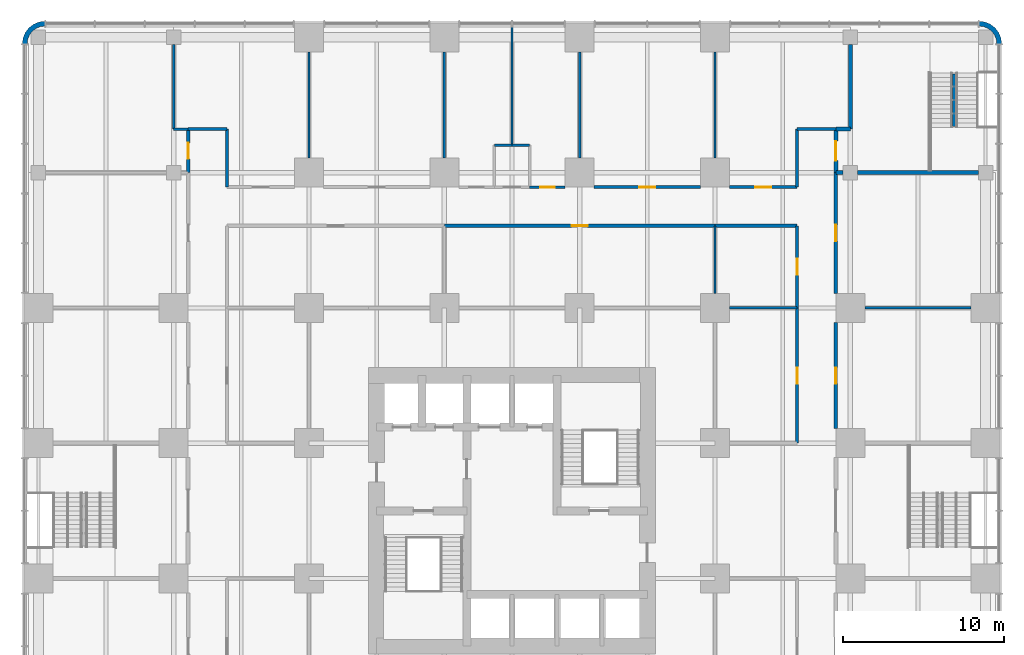
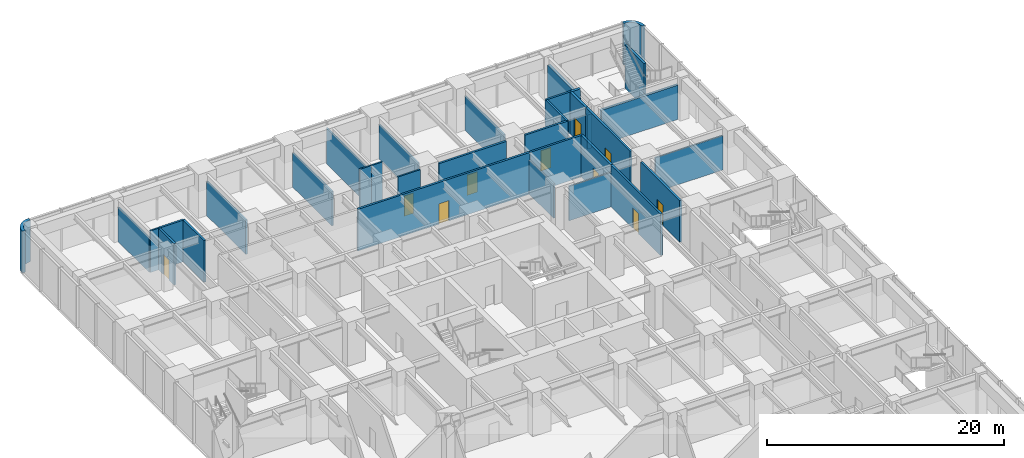
# One storey, part 14 of 20: 34 walls, 10 doors, 10 openings.
"""IFC4 building model written with IfcOpenShell, lengths in metres."""

from ifc_helpers import new_model, si_unit, direction, frame, frame_2d, origin, place, context, subcontext, project, spatial, polyline, rectangle, outline, extrude, material, layer, layer_set, type_object, element, fill, save


model = new_model("IFC4")

# Units and contexts
model_context = context("Model", 3, precision=1e-05, world=origin(), true_north=direction((0.0, 1.0)))
body_context = subcontext(model_context, "Body", "Model", "MODEL_VIEW")
ifc_project = project(units=[si_unit("LENGTHUNIT", "METRE"), si_unit("AREAUNIT", "SQUARE_METRE"), si_unit("VOLUMEUNIT", "CUBIC_METRE"), si_unit("PLANEANGLEUNIT", "RADIAN"), si_unit("MASSUNIT", "GRAM", prefix="KILO")], contexts=[model_context])

# Site, building, storey
site_placement = place(None, origin())
site = spatial("IfcSite", under=ifc_project, at=site_placement, CompositionType="ELEMENT")
building_placement = place(site_placement, origin())
building = spatial("IfcBuilding", under=site, at=building_placement, Name="Torre Alcanfor", CompositionType="ELEMENT")
storey_placement = place(building_placement, frame((0.0, 0.0, 10.5)))
storey = spatial("IfcBuildingStorey", under=building, at=storey_placement, Name="L02", CompositionType="ELEMENT", Elevation=10.5)

# Walls
ifc_material_1 = material(Name="Concrete block masonry, hollow blocks NMX-C-404 9 MPa", Category="masonry")
ifc_layer_1 = layer(ifc_material_1, 0.14990234375)
ifc_layer_set_1 = layer_set([ifc_layer_1], Name="Classroom partition 150")
wall_type_1 = type_object("IfcWallType", Name="Classroom partition 150", PredefinedType="PARTITIONING", material=ifc_layer_set_1)
for number, where, z_axis, x_axis, name in (
    (1, (51.300048828125, 42.0, 0.0), (0.0, 0.0, 1.0), (1.0, 0.0, 0.0), "Partition L02-15 / L02-17"),
    (2, (16.800048828125, 51.300048828125, 0.0), (0.0, 0.0, 1.0), (0.0, 1.0, 0.0), "Partition L02-18 / L02-22"),
    (3, (42.0, 57.89990234375, 0.0), (0.0, 0.0, 1.0), (0.0, -1.0, 0.0), "Partition L02-19 / L02-23"),
):
    element("IfcWall", number, at=place(storey_placement, frame(where, z_axis=z_axis, x_axis=x_axis)), inside=storey, type_object=wall_type_1, Name=name, PredefinedType="PARTITIONING", context=body_context, shape_type="SweptSolid", body=[
        extrude(rectangle(XDim=6.599853515625, YDim=0.14990234375, at=frame_2d((3.2998046875, 0.0))), origin(), (0.0, 0.0, 1.0), 3.543212890625),
    ])
wall_1_placement = place(storey_placement, frame((8.39990234375, 58.35009765625, 0.0), z_axis=(0.0, 0.0, 1.0), x_axis=(0.0, -1.0, 0.0)))
element("IfcWall", 4, at=wall_1_placement, inside=storey, type_object=wall_type_1, Name="Partition L02-20 / L02-22", PredefinedType="PARTITIONING", context=body_context, shape_type="SweptSolid", body=[
    extrude(rectangle(XDim=5.25, YDim=0.14990234375, at=frame_2d((2.625, 0.0))), origin(), (0.0, 0.0, 1.0), 3.543212890625),
])
wall_2_placement = place(storey_placement, frame((8.39990234375, 53.10009765625, 0.0), z_axis=(0.0, 0.0, 1.0), x_axis=(1.0, 0.0, 0.0)))
element("IfcWall", 5, at=wall_2_placement, inside=storey, type_object=wall_type_1, Name="Partition L02-20 / L02-22", PredefinedType="PARTITIONING", context=body_context, shape_type="SweptSolid", body=[
    extrude(rectangle(XDim=0.900146484375, YDim=0.14990234375, at=frame_2d((0.4501953125, 0.0))), origin(), (0.0, 0.0, 1.0), 4.300048828125),
])
for number, where, z_axis, x_axis, name in (
    (6, (42.89990234375, 42.0, 0.0), (0.0, 0.0, 1.0), (1.0, 0.0, 0.0), "Partition L02-I10 / L02-I13"),
    (7, (42.0, 47.10009765625, 0.0), (0.0, 0.0, 1.0), (0.0, -1.0, 0.0), "Partition L02-I12 / L02-I13"),
):
    element("IfcWall", number, at=place(storey_placement, frame(where, z_axis=z_axis, x_axis=x_axis)), inside=storey, type_object=wall_type_1, Name=name, PredefinedType="PARTITIONING", context=body_context, shape_type="SweptSolid", body=[
        extrude(rectangle(XDim=4.2001953125, YDim=0.14990234375, at=frame_2d((2.10009765625, 0.0))), origin(), (0.0, 0.0, 1.0), 3.543212890625),
    ])
ifc_material_2 = material(Name="Limestone cladding", Category="masonry")
ifc_layer_2 = layer(ifc_material_2, 0.0400390625, Name="Facing")
ifc_material_3 = material(Name="Ventilated air cavity")
ifc_layer_3 = layer(ifc_material_3, 0.02001953125, ventilated=True, Name="Ventilated joint")
ifc_material_4 = material(Name="Mineral wool insulation", Category="insulation")
ifc_layer_4 = layer(ifc_material_4, 0.10009765625, Name="Insulation")
ifc_material_5 = material(Name="Concrete f'c 35 MPa", Category="concrete")
ifc_layer_5 = layer(ifc_material_5, 0.139892578125, Name="Backing")
ifc_layer_set_2 = layer_set([ifc_layer_2, ifc_layer_3, ifc_layer_4, ifc_layer_5], Name="Rounded corner pier stone-clad 300")
wall_type_2 = type_object("IfcWallType", Name="Rounded corner pier stone-clad 300", PredefinedType="SOLIDWALL", material=ifc_layer_set_2)
wall_3_placement = place(storey_placement, frame((59.647901787, 58.355188981, 0.0), z_axis=(0.0, 0.0, 1.0), x_axis=(0.707106781187, 0.707106781187, 0.0)))
element("IfcWall", 8, at=wall_3_placement, inside=storey, type_object=wall_type_2, Name="Corner pier L02 5", PredefinedType="SOLIDWALL", context=body_context, shape_type="SweptSolid", body=[
    extrude(outline(polyline([(0.13920132652713502, 1.90413906500536), (-0.10075922665872938, 1.7197664960826957), (-0.08677591384717909, 1.7057831832711454), (0.09966825697349269, 1.4627152272382697), (0.20929052407638765, 1.1980680847678162), (0.2464067247490213, 0.9140859912492929), (0.20929052407638762, 0.6301038977307699), (0.09966825697349269, 0.3654567552603164), (-0.08677591384717905, 0.12238879922744068), (-0.10075922665872943, 0.1084054864158903), (0.13920132652713513, -0.07596708250677396), (0.3615532635799362, 0.21405718321427095), (0.5015590251869406, 0.5519009260809882), (0.5492058688411122, 0.914085991249293), (0.5015590251869406, 1.2762710564175979), (0.3615532635799362, 1.614114799284315), (0.13920132652713502, 1.90413906500536)])), origin(), (0.0, 0.0, 1.0), 4.300048828125),
])
wall_4_placement = place(storey_placement, frame((0.444811019, 59.647901787, 0.0), z_axis=(0.0, 0.0, 1.0), x_axis=(-0.707106781187, 0.707106781187, 0.0)))
element("IfcWall", 9, at=wall_4_placement, inside=storey, type_object=wall_type_2, Name="Corner pier L02 6", PredefinedType="SOLIDWALL", context=body_context, shape_type="SweptSolid", body=[
    extrude(outline(polyline([(0.1391667998288333, 1.9041045383070583), (-0.10079375335703122, 1.719731969384394), (-0.08681044054548093, 1.7057486565728435), (0.09963373027519085, 1.4626807005399678), (0.20925599737808592, 1.1980335580695145), (0.24654483154222023, 0.9142240980424918), (0.2092559973780859, 0.6300693710324682), (0.09963373027519096, 0.3654222285620147), (-0.08681044054548079, 0.12235427252913894), (-0.10079375335703117, 0.10837095971758856), (0.139339433320334, -0.07582897571357508), (0.36169137037313503, 0.2141952900074698), (0.5015244984886389, 0.5518663993826864), (0.5491713421428104, 0.9140514645509912), (0.5016971319801394, 1.2764091632107966), (0.36169137037313503, 1.614252906077514), (0.1391667998288333, 1.9041045383070583)])), origin(), (0.0, 0.0, 1.0), 4.300048828125),
])

# Wall, opening, door
ifc_material_6 = material(Name="Concrete block masonry, hollow blocks NMX-C-404 9 MPa", Category="masonry")
ifc_layer_6 = layer(ifc_material_6, 0.199951171875)
ifc_layer_set_3 = layer_set([ifc_layer_6], Name="School corridor wall 200")
wall_type_3 = type_object("IfcWallType", Name="School corridor wall 200", PredefinedType="PARTITIONING", material=ifc_layer_set_3)
wall_5_placement = place(storey_placement, frame((49.5, 34.5, 0.0), z_axis=(0.0, 0.0, 1.0), x_axis=(0.0, 1.0, 0.0)))
wall_5 = element("IfcWall", 10, at=wall_5_placement, inside=storey, type_object=wall_type_3, Name="Partition L02-15 / L02-CORR", PredefinedType="PARTITIONING", context=body_context, shape_type="SweptSolid", body=[
    extrude(rectangle(XDim=6.60009765625, YDim=0.199951171875, at=frame_2d((3.300048828125, 0.0))), origin(), (0.0, 0.0, 1.0), 4.300048828125),
])
opening_1_placement = place(wall_5_placement, frame((2.800048828125, 0.0, 0.0)))
opening_1 = element("IfcOpeningElement", 11, at=opening_1_placement, cuts=wall_5, Name="Opening D-C1", PredefinedType="OPENING", context=body_context, shape_type="SweptSolid", body=[
    extrude(rectangle(XDim=1.0, YDim=2.10009765625, at=frame_2d((0.5, 1.050048828125))), frame((0.0, 0.10986328125, 0.0), z_axis=(0.0, -1.0, 0.0), x_axis=(1.0, 0.0, 0.0)), (0.0, 0.0, 1.0), 0.219970703125),
])
ifc_material_7 = material(Name="Timber", Category="wood")
door_type_1 = type_object("IfcDoorType", Name="Classroom door 1000x2100", OperationType="SINGLE_SWING_RIGHT", PredefinedType="DOOR", material=ifc_material_7)
door_1_placement = place(opening_1_placement, frame((1.0, 0.0, 0.0), z_axis=(0.0, 0.0, 1.0), x_axis=(-1.0, 0.0, 0.0)))
door_1 = element("IfcDoor", 12, at=door_1_placement, inside=storey, type_object=door_type_1, Name="Door L02-15 classroom", OperationType="SINGLE_SWING_RIGHT", OverallHeight=2.10009765625, OverallWidth=1.0, PredefinedType="DOOR", context=body_context, shape_type="SweptSolid", body=[
    extrude(rectangle(XDim=1.0, YDim=2.10009765625, at=frame_2d((0.5, 1.050048828125))), frame((0.0, 0.025146484375, 0.0), z_axis=(0.0, -1.0, 0.0), x_axis=(1.0, 0.0, 0.0)), (0.0, 0.0, 1.0), 0.050048828125),
])
fill(opening_1, door_1)

wall_6_placement = place(storey_placement, frame((49.5, 42.89990234375, 0.0), z_axis=(0.0, 0.0, 1.0), x_axis=(0.0, 1.0, 0.0)))
wall_6 = element("IfcWall", 13, at=wall_6_placement, inside=storey, type_object=wall_type_3, Name="Partition L02-17 / L02-CORR", PredefinedType="PARTITIONING", context=body_context, shape_type="SweptSolid", body=[
    extrude(rectangle(XDim=7.5, YDim=0.199951171875, at=frame_2d((3.75, 0.0))), origin(), (0.0, 0.0, 1.0), 4.300048828125),
])
opening_2_placement = place(wall_6_placement, frame((3.25, 0.0, 0.0)))
opening_2 = element("IfcOpeningElement", 14, at=opening_2_placement, cuts=wall_6, Name="Opening D-C1", PredefinedType="OPENING", context=body_context, shape_type="SweptSolid", body=[
    extrude(rectangle(XDim=1.0, YDim=2.10009765625, at=frame_2d((0.5, 1.050048828125))), frame((0.0, 0.10986328125, 0.0), z_axis=(0.0, -1.0, 0.0), x_axis=(1.0, 0.0, 0.0)), (0.0, 0.0, 1.0), 0.219970703125),
])
door_2_placement = place(opening_2_placement, frame((1.0, 0.0, 0.0), z_axis=(0.0, 0.0, 1.0), x_axis=(-1.0, 0.0, 0.0)))
door_2 = element("IfcDoor", 15, at=door_2_placement, inside=storey, type_object=door_type_1, Name="Door L02-17 classroom", OperationType="SINGLE_SWING_RIGHT", OverallHeight=2.10009765625, OverallWidth=1.0, PredefinedType="DOOR", context=body_context, shape_type="SweptSolid", body=[
    extrude(rectangle(XDim=1.0, YDim=2.10009765625, at=frame_2d((0.5, 1.050048828125))), frame((0.0, 0.025146484375, 0.0), z_axis=(0.0, -1.0, 0.0), x_axis=(1.0, 0.0, 0.0)), (0.0, 0.0, 1.0), 0.050048828125),
])
fill(opening_2, door_2)

wall_7_placement = place(storey_placement, frame((41.10009765625, 49.5, 0.0), z_axis=(0.0, 0.0, 1.0), x_axis=(-1.0, 0.0, 0.0)))
wall_7 = element("IfcWall", 16, at=wall_7_placement, inside=storey, type_object=wall_type_3, Name="Partition L02-19 / L02-CORR", PredefinedType="PARTITIONING", context=body_context, shape_type="SweptSolid", body=[
    extrude(rectangle(XDim=6.60009765625, YDim=0.199951171875, at=frame_2d((3.300048828125, 0.0))), origin(), (0.0, 0.0, 1.0), 4.300048828125),
])
opening_3_placement = place(wall_7_placement, frame((2.800048828125, 0.0, 0.0)))
opening_3 = element("IfcOpeningElement", 17, at=opening_3_placement, cuts=wall_7, Name="Opening D-C1", PredefinedType="OPENING", context=body_context, shape_type="SweptSolid", body=[
    extrude(rectangle(XDim=1.0, YDim=2.10009765625, at=frame_2d((0.5, 1.050048828125))), frame((0.0, 0.10986328125, 0.0), z_axis=(0.0, -1.0, 0.0), x_axis=(1.0, 0.0, 0.0)), (0.0, 0.0, 1.0), 0.219970703125),
])
door_3_placement = place(opening_3_placement, frame((1.0, 0.0, 0.0), z_axis=(0.0, 0.0, 1.0), x_axis=(-1.0, 0.0, 0.0)))
door_3 = element("IfcDoor", 18, at=door_3_placement, inside=storey, type_object=door_type_1, Name="Door L02-19 classroom", OperationType="SINGLE_SWING_RIGHT", OverallHeight=2.10009765625, OverallWidth=1.0, PredefinedType="DOOR", context=body_context, shape_type="SweptSolid", body=[
    extrude(rectangle(XDim=1.0, YDim=2.10009765625, at=frame_2d((0.5, 1.050048828125))), frame((0.0, 0.025146484375, 0.0), z_axis=(0.0, -1.0, 0.0), x_axis=(1.0, 0.0, 0.0)), (0.0, 0.0, 1.0), 0.050048828125),
])
fill(opening_3, door_3)

wall_8_placement = place(storey_placement, frame((9.300048828125, 53.10009765625, 0.0), z_axis=(0.0, 0.0, 1.0), x_axis=(0.0, -1.0, 0.0)))
wall_8 = element("IfcWall", 19, at=wall_8_placement, inside=storey, type_object=wall_type_3, Name="Partition L02-20 / L02-CORR", PredefinedType="PARTITIONING", context=body_context, shape_type="SweptSolid", body=[
    extrude(rectangle(XDim=2.7001953125, YDim=0.199951171875, at=frame_2d((1.35009765625, 0.0))), origin(), (0.0, 0.0, 1.0), 4.300048828125),
])
opening_4_placement = place(wall_8_placement, frame((0.85009765625, 0.0, 0.0)))
opening_4 = element("IfcOpeningElement", 20, at=opening_4_placement, cuts=wall_8, Name="Opening D-C1", PredefinedType="OPENING", context=body_context, shape_type="SweptSolid", body=[
    extrude(rectangle(XDim=1.0, YDim=2.10009765625, at=frame_2d((0.5, 1.050048828125))), frame((0.0, 0.10986328125, 0.0), z_axis=(0.0, -1.0, 0.0), x_axis=(1.0, 0.0, 0.0)), (0.0, 0.0, 1.0), 0.219970703125),
])
door_4_placement = place(opening_4_placement, frame((1.0, 0.0, 0.0), z_axis=(0.0, 0.0, 1.0), x_axis=(-1.0, 0.0, 0.0)))
door_4 = element("IfcDoor", 21, at=door_4_placement, inside=storey, type_object=door_type_1, Name="Door L02-20 classroom", OperationType="SINGLE_SWING_RIGHT", OverallHeight=2.10009765625, OverallWidth=1.0, PredefinedType="DOOR", context=body_context, shape_type="SweptSolid", body=[
    extrude(rectangle(XDim=1.0, YDim=2.10009765625, at=frame_2d((0.5, 1.050048828125))), frame((0.0, 0.025146484375, 0.0), z_axis=(0.0, -1.0, 0.0), x_axis=(1.0, 0.0, 0.0)), (0.0, 0.0, 1.0), 0.050048828125),
])
fill(opening_4, door_4)

# Walls
wall_9_placement = place(storey_placement, frame((11.699951171875, 49.5, 0.0), z_axis=(0.0, 0.0, 1.0), x_axis=(0.0, 1.0, 0.0)))
element("IfcWall", 22, at=wall_9_placement, inside=storey, type_object=wall_type_3, Name="Partition L02-22 / L02-CORR", PredefinedType="PARTITIONING", context=body_context, shape_type="SweptSolid", body=[
    extrude(rectangle(XDim=3.60009765625, YDim=0.199951171875, at=frame_2d((1.800048828125, 0.0))), origin(), (0.0, 0.0, 1.0), 4.300048828125),
])
for number, where, z_axis, x_axis, name in (
    (23, (11.699951171875, 53.10009765625, 0.0), (0.0, 0.0, 1.0), (-1.0, 0.0, 0.0), "Partition L02-22 / L02-CORR"),
    (24, (49.5, 53.10009765625, 0.0), (0.0, 0.0, 1.0), (-1.0, 0.0, 0.0), "Partition L02-23 / L02-CORR"),
):
    element("IfcWall", number, at=place(storey_placement, frame(where, z_axis=z_axis, x_axis=x_axis)), inside=storey, type_object=wall_type_3, Name=name, PredefinedType="PARTITIONING", context=body_context, shape_type="SweptSolid", body=[
        extrude(rectangle(XDim=2.39990234375, YDim=0.199951171875, at=frame_2d((1.199951171875, 0.0))), origin(), (0.0, 0.0, 1.0), 4.300048828125),
    ])
wall_10_placement = place(storey_placement, frame((47.10009765625, 53.10009765625, 0.0), z_axis=(0.0, 0.0, 1.0), x_axis=(0.0, -1.0, 0.0)))
element("IfcWall", 25, at=wall_10_placement, inside=storey, type_object=wall_type_3, Name="Partition L02-23 / L02-CORR", PredefinedType="PARTITIONING", context=body_context, shape_type="SweptSolid", body=[
    extrude(rectangle(XDim=3.60009765625, YDim=0.199951171875, at=frame_2d((1.800048828125, 0.0))), origin(), (0.0, 0.0, 1.0), 4.300048828125),
])

# Wall, opening, door
wall_11_placement = place(storey_placement, frame((47.10009765625, 49.5, 0.0), z_axis=(0.0, 0.0, 1.0), x_axis=(-1.0, 0.0, 0.0)))
wall_11 = element("IfcWall", 26, at=wall_11_placement, inside=storey, type_object=wall_type_3, Name="Partition L02-23 / L02-CORR", PredefinedType="PARTITIONING", context=body_context, shape_type="SweptSolid", body=[
    extrude(rectangle(XDim=4.2001953125, YDim=0.199951171875, at=frame_2d((2.10009765625, 0.0))), origin(), (0.0, 0.0, 1.0), 4.300048828125),
])
opening_5_placement = place(wall_11_placement, frame((1.60009765625, 0.0, 0.0)))
opening_5 = element("IfcOpeningElement", 27, at=opening_5_placement, cuts=wall_11, Name="Opening D-C1", PredefinedType="OPENING", context=body_context, shape_type="SweptSolid", body=[
    extrude(rectangle(XDim=1.0, YDim=2.10009765625, at=frame_2d((0.5, 1.050048828125))), frame((0.0, 0.10986328125, 0.0), z_axis=(0.0, -1.0, 0.0), x_axis=(1.0, 0.0, 0.0)), (0.0, 0.0, 1.0), 0.219970703125),
])
door_5_placement = place(opening_5_placement, frame((1.0, 0.0, 0.0), z_axis=(0.0, 0.0, 1.0), x_axis=(-1.0, 0.0, 0.0)))
door_5 = element("IfcDoor", 28, at=door_5_placement, inside=storey, type_object=door_type_1, Name="Door L02-23 classroom", OperationType="SINGLE_SWING_RIGHT", OverallHeight=2.10009765625, OverallWidth=1.0, PredefinedType="DOOR", context=body_context, shape_type="SweptSolid", body=[
    extrude(rectangle(XDim=1.0, YDim=2.10009765625, at=frame_2d((0.5, 1.050048828125))), frame((0.0, 0.025146484375, 0.0), z_axis=(0.0, -1.0, 0.0), x_axis=(1.0, 0.0, 0.0)), (0.0, 0.0, 1.0), 0.050048828125),
])
fill(opening_5, door_5)

wall_12_placement = place(storey_placement, frame((47.10009765625, 33.60009765625, 0.0), z_axis=(0.0, 0.0, 1.0), x_axis=(0.0, 1.0, 0.0)))
wall_12 = element("IfcWall", 29, at=wall_12_placement, inside=storey, type_object=wall_type_3, Name="Partition L02-CORR / L02-I10", PredefinedType="PARTITIONING", context=body_context, shape_type="SweptSolid", body=[
    extrude(rectangle(XDim=8.39990234375, YDim=0.199951171875, at=frame_2d((4.199951171875, 0.0))), origin(), (0.0, 0.0, 1.0), 4.300048828125),
])
opening_6_placement = place(wall_12_placement, frame((3.699951171875, 0.0, 0.0)))
opening_6 = element("IfcOpeningElement", 30, at=opening_6_placement, cuts=wall_12, Name="Opening D-C1", PredefinedType="OPENING", context=body_context, shape_type="SweptSolid", body=[
    extrude(rectangle(XDim=1.0, YDim=2.10009765625, at=frame_2d((0.5, 1.050048828125))), frame((0.0, 0.10986328125, 0.0), z_axis=(0.0, -1.0, 0.0), x_axis=(1.0, 0.0, 0.0)), (0.0, 0.0, 1.0), 0.219970703125),
])
door_6_placement = place(opening_6_placement, origin())
door_6 = element("IfcDoor", 31, at=door_6_placement, inside=storey, type_object=door_type_1, Name="Door L02-I10 practice room", OperationType="SINGLE_SWING_LEFT", OverallHeight=2.10009765625, OverallWidth=1.0, PredefinedType="DOOR", context=body_context, shape_type="SweptSolid", body=[
    extrude(rectangle(XDim=1.0, YDim=2.10009765625, at=frame_2d((0.5, 1.050048828125))), frame((0.0, 0.02490234375, 0.0), z_axis=(0.0, -1.0, 0.0), x_axis=(1.0, 0.0, 0.0)), (0.0, 0.0, 1.0), 0.050048828125),
])
fill(opening_6, door_6)

wall_13_placement = place(storey_placement, frame((42.0, 47.10009765625, 0.0), z_axis=(0.0, 0.0, 1.0), x_axis=(-1.0, 0.0, 0.0)))
wall_13 = element("IfcWall", 32, at=wall_13_placement, inside=storey, type_object=wall_type_3, Name="Partition L02-CORR / L02-I12", PredefinedType="PARTITIONING", context=body_context, shape_type="SweptSolid", body=[
    extrude(rectangle(XDim=16.800048828125, YDim=0.199951171875, at=frame_2d((8.39990234375, 0.0))), origin(), (0.0, 0.0, 1.0), 4.300048828125),
])
opening_7_placement = place(wall_13_placement, frame((7.89990234375, 0.0, 0.0)))
opening_7 = element("IfcOpeningElement", 33, at=opening_7_placement, cuts=wall_13, Name="Opening D-C1", PredefinedType="OPENING", context=body_context, shape_type="SweptSolid", body=[
    extrude(rectangle(XDim=1.0, YDim=2.10009765625, at=frame_2d((0.5, 1.050048828125))), frame((0.0, 0.10986328125, 0.0), z_axis=(0.0, -1.0, 0.0), x_axis=(1.0, 0.0, 0.0)), (0.0, 0.0, 1.0), 0.219970703125),
])
door_7_placement = place(opening_7_placement, origin())
door_7 = element("IfcDoor", 34, at=door_7_placement, inside=storey, type_object=door_type_1, Name="Door L02-I12 music room", OperationType="SINGLE_SWING_LEFT", OverallHeight=2.10009765625, OverallWidth=1.0, PredefinedType="DOOR", context=body_context, shape_type="SweptSolid", body=[
    extrude(rectangle(XDim=1.0, YDim=2.10009765625, at=frame_2d((0.5, 1.050048828125))), frame((0.0, 0.02490234375, 0.0), z_axis=(0.0, -1.0, 0.0), x_axis=(1.0, 0.0, 0.0)), (0.0, 0.0, 1.0), 0.050048828125),
])
fill(opening_7, door_7)

wall_14_placement = place(storey_placement, frame((47.10009765625, 42.0, 0.0), z_axis=(0.0, 0.0, 1.0), x_axis=(0.0, 1.0, 0.0)))
wall_14 = element("IfcWall", 35, at=wall_14_placement, inside=storey, type_object=wall_type_3, Name="Partition L02-CORR / L02-I13", PredefinedType="PARTITIONING", context=body_context, shape_type="SweptSolid", body=[
    extrude(rectangle(XDim=5.10009765625, YDim=0.199951171875, at=frame_2d((2.550048828125, 0.0))), origin(), (0.0, 0.0, 1.0), 4.300048828125),
])
opening_8_placement = place(wall_14_placement, frame((2.050048828125, 0.0, 0.0)))
opening_8 = element("IfcOpeningElement", 36, at=opening_8_placement, cuts=wall_14, Name="Opening D-C1", PredefinedType="OPENING", context=body_context, shape_type="SweptSolid", body=[
    extrude(rectangle(XDim=1.0, YDim=2.10009765625, at=frame_2d((0.5, 1.050048828125))), frame((0.0, 0.10986328125, 0.0), z_axis=(0.0, -1.0, 0.0), x_axis=(1.0, 0.0, 0.0)), (0.0, 0.0, 1.0), 0.219970703125),
])
door_8_placement = place(opening_8_placement, origin())
door_8 = element("IfcDoor", 37, at=door_8_placement, inside=storey, type_object=door_type_1, Name="Door L02-I13 store", OperationType="SINGLE_SWING_LEFT", OverallHeight=2.10009765625, OverallWidth=1.0, PredefinedType="DOOR", context=body_context, shape_type="SweptSolid", body=[
    extrude(rectangle(XDim=1.0, YDim=2.10009765625, at=frame_2d((0.5, 1.050048828125))), frame((0.0, 0.02490234375, 0.0), z_axis=(0.0, -1.0, 0.0), x_axis=(1.0, 0.0, 0.0)), (0.0, 0.0, 1.0), 0.050048828125),
])
fill(opening_8, door_8)

# Walls
wall_15_placement = place(storey_placement, frame((47.10009765625, 47.10009765625, 0.0), z_axis=(0.0, 0.0, 1.0), x_axis=(-1.0, 0.0, 0.0)))
element("IfcWall", 38, at=wall_15_placement, inside=storey, type_object=wall_type_3, Name="Partition L02-CORR / L02-I13", PredefinedType="PARTITIONING", context=body_context, shape_type="SweptSolid", body=[
    extrude(rectangle(XDim=5.10009765625, YDim=0.199951171875, at=frame_2d((2.550048828125, 0.0))), origin(), (0.0, 0.0, 1.0), 4.300048828125),
])
ifc_material_8 = material(Name="Reinforced concrete block masonry, hollow blocks NMX-C-404 9 MPa", Category="masonry")
ifc_layer_7 = layer(ifc_material_8, 0.25)
ifc_layer_set_4 = layer_set([ifc_layer_7], Name="Stair enclosure wall 250 EI 120")
wall_type_4 = type_object("IfcWallType", Name="Stair enclosure wall 250 EI 120", PredefinedType="SOLIDWALL", material=ifc_layer_set_4)
wall_16_placement = place(storey_placement, frame((49.949951171875, 50.39990234375, 0.0), z_axis=(0.0, 0.0, 1.0), x_axis=(-1.0, 0.0, 0.0)))
element("IfcWall", 39, at=wall_16_placement, inside=storey, type_object=wall_type_4, Name="Partition L02-SS4 / L02-17", PredefinedType="SOLIDWALL", context=body_context, shape_type="SweptSolid", body=[
    extrude(rectangle(XDim=0.449951171875, YDim=0.25, at=frame_2d((0.22509765625, 0.0))), origin(), (0.0, 0.0, 1.0), 3.543212890625),
])
wall_17_placement = place(storey_placement, frame((58.35009765625, 50.39990234375, 0.0), z_axis=(0.0, 0.0, 1.0), x_axis=(-1.0, 0.0, 0.0)))
element("IfcWall", 40, at=wall_17_placement, inside=storey, type_object=wall_type_4, Name="Partition L02-SS4 / L02-17", PredefinedType="SOLIDWALL", context=body_context, shape_type="SweptSolid", body=[
    extrude(rectangle(XDim=7.5, YDim=0.25, at=frame_2d((3.75, 0.0))), origin(), (0.0, 0.0, 1.0), 3.543212890625),
])
wall_18_placement = place(storey_placement, frame((49.5, 53.10009765625, 0.0), z_axis=(0.0, 0.0, 1.0), x_axis=(1.0, 0.0, 0.0)))
element("IfcWall", 41, at=wall_18_placement, inside=storey, type_object=wall_type_4, Name="Partition L02-SS4 / L02-23", PredefinedType="SOLIDWALL", context=body_context, shape_type="SweptSolid", body=[
    extrude(rectangle(XDim=0.89990234375, YDim=0.25, at=frame_2d((0.449951171875, 0.0))), origin(), (0.0, 0.0, 1.0), 4.300048828125),
])
wall_19_placement = place(storey_placement, frame((50.39990234375, 53.10009765625, 0.0), z_axis=(0.0, 0.0, 1.0), x_axis=(0.0, 1.0, 0.0)))
element("IfcWall", 42, at=wall_19_placement, inside=storey, type_object=wall_type_4, Name="Partition L02-SS4 / L02-23", PredefinedType="SOLIDWALL", context=body_context, shape_type="SweptSolid", body=[
    extrude(rectangle(XDim=5.25, YDim=0.25, at=frame_2d((2.625, 0.0))), origin(), (0.0, 0.0, 1.0), 3.543212890625),
])

# Wall, opening, door
wall_20_placement = place(storey_placement, frame((49.5, 50.39990234375, 0.0), z_axis=(0.0, 0.0, 1.0), x_axis=(0.0, 1.0, 0.0)))
wall_20 = element("IfcWall", 43, at=wall_20_placement, inside=storey, type_object=wall_type_4, Name="Partition L02-SS4 / L02-CORR", PredefinedType="SOLIDWALL", context=body_context, shape_type="SweptSolid", body=[
    extrude(rectangle(XDim=2.7001953125, YDim=0.25, at=frame_2d((1.35009765625, 0.0))), origin(), (0.0, 0.0, 1.0), 4.300048828125),
])
opening_9_placement = place(wall_20_placement, frame((0.75, 0.0, 0.0)))
opening_9 = element("IfcOpeningElement", 44, at=opening_9_placement, cuts=wall_20, Name="Opening D-L1", PredefinedType="OPENING", context=body_context, shape_type="SweptSolid", body=[
    extrude(rectangle(XDim=1.199951171875, YDim=2.10009765625, at=frame_2d((0.60009765625, 1.050048828125))), frame((0.0, 0.135009765625, 0.0), z_axis=(0.0, -1.0, 0.0), x_axis=(1.0, 0.0, 0.0)), (0.0, 0.0, 1.0), 0.27001953125),
])
ifc_material_9 = material(Name="Galvanised steel sheet ASTM A653", Category="steel")
door_type_2 = type_object("IfcDoorType", Name="Lobby door FD120 1200x2100", OperationType="SINGLE_SWING_LEFT", PredefinedType="DOOR", material=ifc_material_9)
door_9_placement = place(opening_9_placement, frame((1.199951171875, 0.0, 0.0), z_axis=(0.0, 0.0, 1.0), x_axis=(-1.0, 0.0, 0.0)))
door_9 = element("IfcDoor", 45, at=door_9_placement, inside=storey, type_object=door_type_2, Name="Door L02-SS4 school stair ss4", OperationType="SINGLE_SWING_RIGHT", OverallHeight=2.10009765625, OverallWidth=1.199951171875, PredefinedType="DOOR", context=body_context, shape_type="SweptSolid", body=[
    extrude(rectangle(XDim=1.199951171875, YDim=2.10009765625, at=frame_2d((0.599853515625, 1.050048828125))), frame((0.0, 0.025146484375, 0.0), z_axis=(0.0, -1.0, 0.0), x_axis=(1.0, 0.0, 0.0)), (0.0, 0.0, 1.0), 0.050048828125),
])
fill(opening_9, door_9)

# Walls
ifc_material_10 = material(Name="Concrete f'c 35 MPa", Category="concrete")
ifc_layer_8 = layer(ifc_material_10, 0.199951171875)
ifc_layer_set_5 = layer_set([ifc_layer_8], Name="Stair spine wall 200")
wall_type_5 = type_object("IfcWallType", Name="Stair spine wall 200", PredefinedType="SOLIDWALL", material=ifc_layer_set_5)
wall_21_placement = place(storey_placement, frame((56.85009765625, 56.52490234375, 0.0), z_axis=(0.0, 0.0, 1.0), x_axis=(0.0, -1.0, 0.0)))
element("IfcWall", 46, at=wall_21_placement, inside=storey, type_object=wall_type_5, Name="Stair spine wall SS4 L02", PredefinedType="SOLIDWALL", context=body_context, shape_type="SweptSolid", body=[
    extrude(rectangle(XDim=3.260009765625, YDim=0.199951171875, at=frame_2d((1.6298828125, 0.0))), origin(), (0.0, 0.0, 1.0), 4.5),
])
ifc_material_11 = material(Name="Cement board on steel studs", Category="steel")
ifc_layer_9 = layer(ifc_material_11, 0.14990234375)
ifc_layer_set_6 = layer_set([ifc_layer_9], Name="Wet area partition 150")
wall_type_6 = type_object("IfcWallType", Name="Wet area partition 150", PredefinedType="PARTITIONING", material=ifc_layer_set_6)
wall_22_placement = place(storey_placement, frame((29.39990234375, 52.10009765625, 0.0), z_axis=(0.0, 0.0, 1.0), x_axis=(-1.0, 0.0, 0.0)))
element("IfcWall", 47, at=wall_22_placement, inside=storey, type_object=wall_type_6, Name="Partition L02-WCN1 / L02-WCN2", PredefinedType="PARTITIONING", context=body_context, shape_type="SweptSolid", body=[
    extrude(rectangle(XDim=1.099853515625, YDim=0.14990234375, at=frame_2d((0.5498046875, 0.0))), origin(), (0.0, 0.0, 1.0), 4.300048828125),
])
wall_23_placement = place(storey_placement, frame((29.39990234375, 59.5, 0.0), z_axis=(0.0, 0.0, 1.0), x_axis=(0.0, -1.0, 0.0)))
element("IfcWall", 48, at=wall_23_placement, inside=storey, type_object=wall_type_6, Name="Partition L02-WCN1 / L02-WCN3", PredefinedType="PARTITIONING", context=body_context, shape_type="SweptSolid", body=[
    extrude(rectangle(XDim=7.39990234375, YDim=0.14990234375, at=frame_2d((3.699951171875, 0.0))), origin(), (0.0, 0.0, 1.0), 3.68798828125),
])
wall_24_placement = place(storey_placement, frame((25.199951171875, 51.300048828125, 0.0), z_axis=(0.0, 0.0, 1.0), x_axis=(0.0, 1.0, 0.0)))
element("IfcWall", 49, at=wall_24_placement, inside=storey, type_object=wall_type_6, Name="Partition L02-WCN1 / L02-18", PredefinedType="PARTITIONING", context=body_context, shape_type="SweptSolid", body=[
    extrude(rectangle(XDim=6.599853515625, YDim=0.14990234375, at=frame_2d((3.2998046875, 0.0))), origin(), (0.0, 0.0, 1.0), 3.543212890625),
])
wall_25_placement = place(storey_placement, frame((29.39990234375, 52.10009765625, 0.0), z_axis=(0.0, 0.0, 1.0), x_axis=(1.0, 0.0, 0.0)))
element("IfcWall", 50, at=wall_25_placement, inside=storey, type_object=wall_type_6, Name="Partition L02-WCN2 / L02-WCN3", PredefinedType="PARTITIONING", context=body_context, shape_type="SweptSolid", body=[
    extrude(rectangle(XDim=1.10009765625, YDim=0.14990234375, at=frame_2d((0.550048828125, 0.0))), origin(), (0.0, 0.0, 1.0), 4.300048828125),
])
wall_26_placement = place(storey_placement, frame((33.60009765625, 57.89990234375, 0.0), z_axis=(0.0, 0.0, 1.0), x_axis=(0.0, -1.0, 0.0)))
element("IfcWall", 51, at=wall_26_placement, inside=storey, type_object=wall_type_6, Name="Partition L02-WCN3 / L02-19", PredefinedType="PARTITIONING", context=body_context, shape_type="SweptSolid", body=[
    extrude(rectangle(XDim=6.599853515625, YDim=0.14990234375, at=frame_2d((3.2998046875, 0.0))), origin(), (0.0, 0.0, 1.0), 3.543212890625),
])

# Wall, opening, door
wall_27_placement = place(storey_placement, frame((32.699951171875, 49.5, 0.0), z_axis=(0.0, 0.0, 1.0), x_axis=(-1.0, 0.0, 0.0)))
wall_27 = element("IfcWall", 52, at=wall_27_placement, inside=storey, type_object=wall_type_6, Name="Partition L02-WCN3 / L02-CORR", PredefinedType="PARTITIONING", context=body_context, shape_type="SweptSolid", body=[
    extrude(rectangle(XDim=2.199951171875, YDim=0.14990234375, at=frame_2d((1.10009765625, 0.0))), origin(), (0.0, 0.0, 1.0), 4.300048828125),
])
opening_10_placement = place(wall_27_placement, frame((0.64990234375, 0.0, 0.0)))
opening_10 = element("IfcOpeningElement", 53, at=opening_10_placement, cuts=wall_27, Name="Opening D-W1", PredefinedType="OPENING", context=body_context, shape_type="SweptSolid", body=[
    extrude(rectangle(XDim=0.89990234375, YDim=2.10009765625, at=frame_2d((0.449951171875, 1.050048828125))), frame((0.0, 0.0849609375, 0.0), z_axis=(0.0, -1.0, 0.0), x_axis=(1.0, 0.0, 0.0)), (0.0, 0.0, 1.0), 0.169921875),
])
ifc_material_12 = material(Name="Timber", Category="wood")
door_type_3 = type_object("IfcDoorType", Name="Toilet door 900x2100", OperationType="SINGLE_SWING_LEFT", PredefinedType="DOOR", material=ifc_material_12)
door_10_placement = place(opening_10_placement, frame((0.89990234375, 0.0, 0.0), z_axis=(0.0, 0.0, 1.0), x_axis=(-1.0, 0.0, 0.0)))
door_10 = element("IfcDoor", 54, at=door_10_placement, inside=storey, type_object=door_type_3, Name="Door L02-WCN3 girls toilets", OperationType="SINGLE_SWING_RIGHT", OverallHeight=2.10009765625, OverallWidth=0.89990234375, PredefinedType="DOOR", context=body_context, shape_type="SweptSolid", body=[
    extrude(rectangle(XDim=0.89990234375, YDim=2.10009765625, at=frame_2d((0.449951171875, 1.050048828125))), frame((0.0, 0.025146484375, 0.0), z_axis=(0.0, -1.0, 0.0), x_axis=(1.0, 0.0, 0.0)), (0.0, 0.0, 1.0), 0.050048828125),
])
fill(opening_10, door_10)

save(model, "model.ifc")
